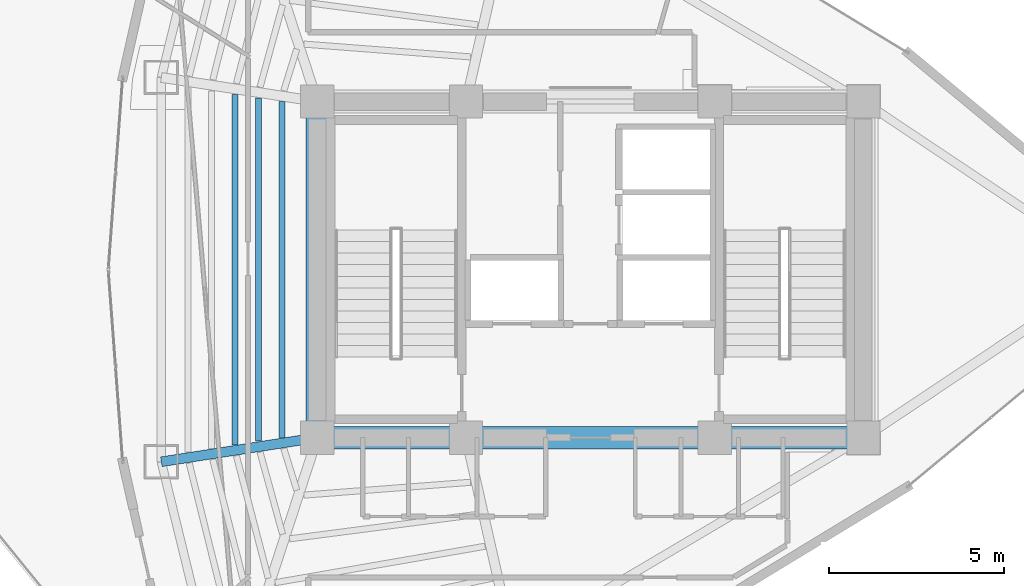
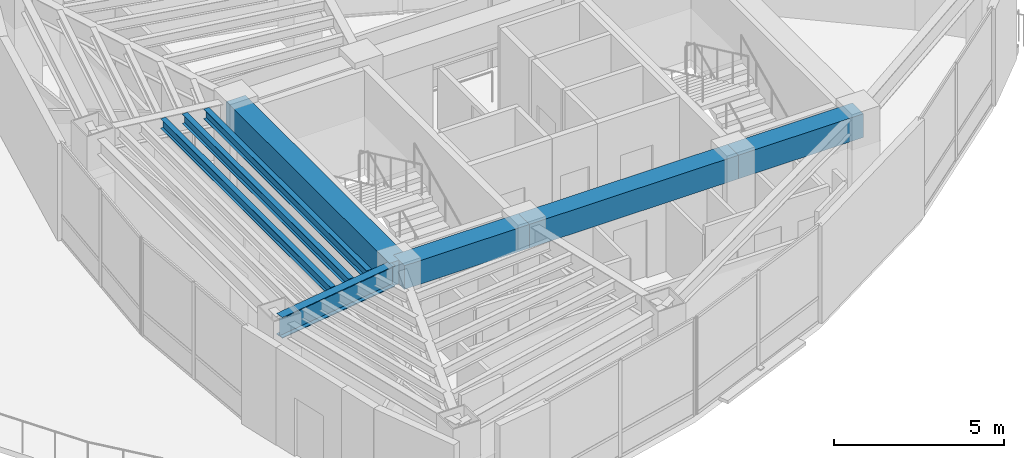
# One storey, part 5 of 17: 8 beams.
"""IFC4 building model written with IfcOpenShell, lengths in metres."""

import ifcopenshell
import ifcopenshell.guid

model = None  # the IFC model being written
_history = None  # IfcOwnerHistory: only IFC2X3 demands one
_inside = {}  # id of a spatial element -> (the spatial element, [elements in it])
_under = {}  # id of a project, library or spatial element -> (it, [spatial elements below it])
_declared = {}  # id of a project -> (the project, [libraries it declares])
_typed = {}  # id of a type object -> (the type object, [elements of that type])
_made_of = {}  # id of a material, layer set ... -> (it, [elements and type objects made of it])


def new_model(schema):
    """Start an empty IFC model of exactly this schema.

    Asked for "IFC4X3", IfcOpenShell would pick the latest addendum, in which some entities
    have other attributes; the version numbers below select the first issue.
    IFC2X3 requires an IfcOwnerHistory on every rooted entity: one is made here for all.
    """
    global model, _history
    if schema == "IFC4X3":
        model = ifcopenshell.file(schema_version=(4, 3, 0, 0))
    else:
        model = ifcopenshell.file(schema=schema)
    _inside.clear()
    _under.clear()
    _declared.clear()
    _typed.clear()
    _made_of.clear()
    _history = None
    if model.schema == "IFC2X3":
        org = make("IfcOrganization", Name="unknown")
        user = make(
            "IfcPersonAndOrganization",
            ThePerson=make("IfcPerson", FamilyName="unknown"),
            TheOrganization=org,
        )
        app = make(
            "IfcApplication",
            ApplicationDeveloper=org,
            Version="unknown",
            ApplicationFullName="unknown",
            ApplicationIdentifier="unknown",
        )
        _history = make(
            "IfcOwnerHistory",
            OwningUser=user,
            OwningApplication=app,
            ChangeAction="ADDED",
            CreationDate=0,
        )
    return model


def make(cls, **values):
    """One entity of the class cls with the attributes given. An attribute that is None is left unset."""
    return model.create_entity(
        cls, **{name: value for name, value in values.items() if value is not None}
    )


def rooted(cls, **values):
    """An entity with a GlobalId (a new one), such as an element, a storey or a relation."""
    return make(cls, GlobalId=ifcopenshell.guid.new(), OwnerHistory=_history, **values)


def si_unit(unit_type, name, prefix=None):
    """IfcSIUnit, for example si_unit("LENGTHUNIT", "METRE", prefix="MILLI")."""
    return make("IfcSIUnit", UnitType=unit_type, Prefix=prefix, Name=name)


def assignment(units):
    """IfcUnitAssignment: the units of a project."""
    return None if units is None else make("IfcUnitAssignment", Units=units)


def point(xyz):
    """IfcCartesianPoint."""
    return None if xyz is None else make("IfcCartesianPoint", Coordinates=xyz)


def direction(xyz):
    """IfcDirection."""
    return None if xyz is None else make("IfcDirection", DirectionRatios=xyz)


def frame(location, z_axis=None, x_axis=None):
    """IfcAxis2Placement3D, a coordinate frame: its origin and axes. An axis left out is left unset."""
    return make(
        "IfcAxis2Placement3D",
        Location=point(location),
        Axis=direction(z_axis),
        RefDirection=direction(x_axis),
    )


def frame_2d(location, x_axis=None):
    """IfcAxis2Placement2D, a coordinate frame in the plane: its origin and x axis."""
    return make(
        "IfcAxis2Placement2D", Location=point(location), RefDirection=direction(x_axis)
    )


def origin():
    """The frame at (0, 0, 0) with its axes left unset."""
    return frame((0.0, 0.0, 0.0))


def origin_2d():
    """The frame at (0, 0) in the plane with its x axis left unset."""
    return frame_2d((0.0, 0.0))


def place(relative_to, where):
    """IfcLocalPlacement: puts the frame where relative to a parent placement (None: the world)."""
    return make(
        "IfcLocalPlacement", PlacementRelTo=relative_to, RelativePlacement=where
    )


def context(
    kind, dimensions, precision=None, world=None, true_north=None, identifier=None
):
    """IfcGeometricRepresentationContext, for example the 3D "Model" context."""
    return make(
        "IfcGeometricRepresentationContext",
        ContextIdentifier=identifier,
        ContextType=kind,
        CoordinateSpaceDimension=dimensions,
        Precision=precision,
        WorldCoordinateSystem=world,
        TrueNorth=true_north,
    )


def subcontext(parent, identifier, kind, view, scale=None):
    """IfcGeometricRepresentationSubContext, for example "Body" below "Model"."""
    return make(
        "IfcGeometricRepresentationSubContext",
        ContextIdentifier=identifier,
        ContextType=kind,
        ParentContext=parent,
        TargetScale=scale,
        TargetView=view,
    )


def project(units=None, contexts=None):
    """IfcProject with its units and contexts."""
    return rooted(
        "IfcProject",
        Name="project",
        RepresentationContexts=contexts,
        UnitsInContext=assignment(units),
    )


def spatial(cls, under=None, at=None, **own):
    """A site, building, storey or space (cls), placed at a placement, below another one or the project."""
    s = rooted(cls, ObjectPlacement=at, **own)
    if under is not None:
        _under.setdefault(under.id(), (under, []))[1].append(s)
    return s


def profile(cls, at=None, kind="AREA", **sizes):
    """A parametric profile (cls). Its sizes go by their IFC names, for example OverallWidth=200.0."""
    return make(cls, ProfileType=kind, Position=at, **sizes)


def rectangle(**sizes):
    """IfcRectangleProfileDef."""
    return profile("IfcRectangleProfileDef", **sizes)


def i_section(**sizes):
    """IfcIShapeProfileDef."""
    return profile("IfcIShapeProfileDef", **sizes)


def extrude(swept, where, along, depth):
    """IfcExtrudedAreaSolid: the profile swept, set in the frame where, extruded along a direction by depth."""
    return make(
        "IfcExtrudedAreaSolid",
        SweptArea=swept,
        Position=where,
        ExtrudedDirection=direction(along),
        Depth=depth,
    )


def shape(context_of_items, identifier, shape_type, items):
    """IfcShapeRepresentation: the items that make up one representation, for example the "Body"."""
    return make(
        "IfcShapeRepresentation",
        ContextOfItems=context_of_items,
        RepresentationIdentifier=identifier,
        RepresentationType=shape_type,
        Items=items,
    )


def material(Name=None, Category=None):
    """IfcMaterial."""
    return make("IfcMaterial", Name=Name, Category=Category)


def material_profile(
    of_material, cross_section, Name=None, Category=None, Priority=None
):
    """IfcMaterialProfile: a cross section and its material."""
    return make(
        "IfcMaterialProfile",
        Name=Name,
        Material=of_material,
        Profile=cross_section,
        Priority=Priority,
        Category=Category,
    )


def profile_set(profiles, Name=None, composite=None):
    """IfcMaterialProfileSet."""
    return make(
        "IfcMaterialProfileSet",
        Name=Name,
        MaterialProfiles=profiles,
        CompositeProfile=composite,
    )


def made_of(thing, what):
    """Note that an element or type object is made of a material, layer set ...; save() writes the relation."""
    if what is not None:
        _made_of.setdefault(what.id(), (what, []))[1].append(thing)
    return thing


def type_object(cls, material=None, **own):
    """A type object (cls), such as IfcWallType, which elements share."""
    return made_of(rooted(cls, **own), material)


def element(
    cls,
    number,
    at=None,
    inside=None,
    cuts=None,
    type_object=None,
    material=None,
    context=None,
    identifier="Body",
    shape_type=None,
    held_by="IfcProductDefinitionShape",
    body=None,
    shapes=None,
    **own,
):
    """One element of the class cls, such as IfcWall. Its Tag is "e" and its number.

    at: its placement. inside: the storey or other place that contains it. cuts: it is an
    opening in that element (IfcRelVoidsElement). A single representation is given by context,
    identifier, shape_type and body (its items); several are given by shapes. held_by: the class
    of the entity that holds the representations. save() writes the other relations.
    """
    e = rooted(cls, Tag="e%d" % number, ObjectPlacement=at, **own)
    if body is not None:
        shapes = [shape(context, identifier, shape_type, body)]
    if shapes is not None:
        e.Representation = make(held_by, Representations=shapes)
    if inside is not None:
        _inside.setdefault(inside.id(), (inside, []))[1].append(e)
    if cuts is not None:
        rooted(
            "IfcRelVoidsElement", RelatingBuildingElement=cuts, RelatedOpeningElement=e
        )
    if type_object is not None:
        _typed.setdefault(type_object.id(), (type_object, []))[1].append(e)
    return made_of(e, material)


def aggregate(whole, parts):
    """IfcRelAggregates: a whole, such as a stair, and the parts it consists of."""
    return rooted("IfcRelAggregates", RelatingObject=whole, RelatedObjects=parts)


def save(model, path):
    """Write the relations noted so far, then the file.

    IfcRelAggregates (storeys below a building ...), IfcRelContainedInSpatialStructure (elements
    in a storey), IfcRelDefinesByType, IfcRelAssociatesMaterial and IfcRelDeclares: one each for
    every whole, place, type object, material and project.
    """
    for whole, parts in _under.values():
        aggregate(whole, parts)
    for where, things in _inside.values():
        rooted(
            "IfcRelContainedInSpatialStructure",
            RelatedElements=things,
            RelatingStructure=where,
        )
    for kind, things in _typed.values():
        rooted("IfcRelDefinesByType", RelatedObjects=things, RelatingType=kind)
    for what, things in _made_of.values():
        rooted("IfcRelAssociatesMaterial", RelatedObjects=things, RelatingMaterial=what)
    for by, libraries in _declared.values():
        rooted("IfcRelDeclares", RelatingContext=by, RelatedDefinitions=libraries)
    model.write(path)


model = new_model("IFC4")

# Units and contexts
model_context = context("Model", 3, precision=1e-05, world=origin(), true_north=direction((0.0, 1.0)))
body_context = subcontext(model_context, "Body", "Model", "MODEL_VIEW")
ifc_project = project(units=[si_unit("LENGTHUNIT", "METRE"), si_unit("AREAUNIT", "SQUARE_METRE"), si_unit("VOLUMEUNIT", "CUBIC_METRE"), si_unit("PLANEANGLEUNIT", "RADIAN"), si_unit("MASSUNIT", "GRAM", prefix="KILO")], contexts=[model_context])

# Site, building, storey
site_placement = place(None, origin())
site = spatial("IfcSite", under=ifc_project, at=site_placement, CompositionType="ELEMENT")
building_placement = place(site_placement, origin())
building = spatial("IfcBuilding", under=site, at=building_placement, Name="Menara Vayukalpa", CompositionType="ELEMENT")
storey_placement = place(building_placement, frame((0.0, 0.0, 206.39990234375)))
storey = spatial("IfcBuildingStorey", under=building, at=storey_placement, Name="L52", CompositionType="ELEMENT", Elevation=206.39990234375)

# Beams
ifc_material_1 = material(Name="Concrete C60/75", Category="concrete")
ifc_material_profile_1 = material_profile(ifc_material_1, rectangle(XDim=0.64990234375, YDim=0.85009765625, at=origin_2d()), Name="RC 650x850")
ifc_profile_set_1 = profile_set([ifc_material_profile_1], Name="Concrete C60/75")
beam_type_1 = type_object("IfcBeamType", Name="BM-CB1", PredefinedType="BEAM", material=ifc_profile_set_1)
beam_1_placement = place(storey_placement, frame((17.800048828125, 17.199951171875, 3.0751953125), z_axis=(1.0, 0.0, 0.0), x_axis=(0.0, 1.0, 0.0)))
element("IfcBeam", 1, at=beam_1_placement, inside=storey, type_object=beam_type_1, Name="L52 Core Tie Beam CBR1", PredefinedType="BEAM", context=body_context, shape_type="SweptSolid", body=[
    extrude(rectangle(XDim=0.64990234375, YDim=0.85009765625, at=origin_2d()), origin(), (0.0, 0.0, 1.0), 4.25),
])
beam_2_placement = place(storey_placement, frame((22.050048828125, 17.199951171875, 3.0751953125), z_axis=(1.0, 0.0, 0.0), x_axis=(0.0, 1.0, 0.0)))
element("IfcBeam", 2, at=beam_2_placement, inside=storey, type_object=beam_type_1, Name="L52 Core Tie Beam CBR2", PredefinedType="BEAM", context=body_context, shape_type="SweptSolid", body=[
    extrude(rectangle(XDim=0.64990234375, YDim=0.85009765625, at=origin_2d()), origin(), (0.0, 0.0, 1.0), 7.099853515625),
])
beam_3_placement = place(storey_placement, frame((29.14990234375, 17.199951171875, 3.0751953125), z_axis=(1.0, 0.0, 0.0), x_axis=(0.0, 1.0, 0.0)))
element("IfcBeam", 3, at=beam_3_placement, inside=storey, type_object=beam_type_1, Name="L52 Core Tie Beam CBR3", PredefinedType="BEAM", context=body_context, shape_type="SweptSolid", body=[
    extrude(rectangle(XDim=0.64990234375, YDim=0.85009765625, at=origin_2d()), origin(), (0.0, 0.0, 1.0), 4.25),
])
beam_4_placement = place(storey_placement, frame((17.800048828125, 17.199951171875, 3.0751953125), z_axis=(0.0, 1.0, 0.0), x_axis=(-1.0, 0.0, 0.0)))
element("IfcBeam", 4, at=beam_4_placement, inside=storey, type_object=beam_type_1, Name="L52 Core Tie Beam CBR7", PredefinedType="BEAM", context=body_context, shape_type="SweptSolid", body=[
    extrude(rectangle(XDim=0.64990234375, YDim=0.85009765625, at=origin_2d()), origin(), (0.0, 0.0, 1.0), 9.60009765625),
])
ifc_material_2 = material(Name="Steel S355", Category="steel")
ifc_material_profile_2 = material_profile(ifc_material_2, i_section(OverallWidth=0.280029296875, OverallDepth=0.75, WebThickness=0.013916015625, FlangeThickness=0.02490234375, at=origin_2d()), Name="WF 750x280x14x25")
ifc_profile_set_2 = profile_set([ifc_material_profile_2], Name="Steel S355")
beam_type_2 = type_object("IfcBeamType", Name="BM-PG4", PredefinedType="BEAM", material=ifc_profile_set_2)
beam_5_placement = place(storey_placement, frame((17.552978515625, 17.161865234375, 3.125), z_axis=(-0.988244781219, -0.152879862617, 0.0), x_axis=(0.152879862617, -0.988244781219, 0.0)))
element("IfcBeam", 5, at=beam_5_placement, inside=storey, type_object=beam_type_2, Name="L52 Primary Radial Girder RG06", PredefinedType="BEAM", context=body_context, shape_type="SweptSolid", body=[
    extrude(i_section(OverallWidth=0.280029296875, OverallDepth=0.75, WebThickness=0.013916015625, FlangeThickness=0.02490234375, at=origin_2d()), origin(), (0.0, 0.0, 1.0), 4.259033203125),
])
ifc_material_3 = material(Name="Steel S355", Category="steel")
ifc_material_profile_3 = material_profile(ifc_material_3, i_section(OverallWidth=0.175048828125, OverallDepth=0.35009765625, WebThickness=0.007080078125, FlangeThickness=0.010986328125, at=origin_2d()), Name="WF 350x175x7x11")
ifc_profile_set_3 = profile_set([ifc_material_profile_3], Name="Steel S355")
beam_type_3 = type_object("IfcBeamType", Name="BM-SJ3", PredefinedType="JOIST", material=ifc_profile_set_3)
beam_6_placement = place(storey_placement, frame((16.79541015625, 26.79541015625, 3.3251953125), z_axis=(0.0, -1.0, 0.0), x_axis=(1.0, 0.0, 0.0)))
element("IfcBeam", 6, at=beam_6_placement, inside=storey, type_object=beam_type_3, Name="L52 Secondary Floor Joist SJ05-1", PredefinedType="JOIST", context=body_context, shape_type="SweptSolid", body=[
    extrude(i_section(OverallWidth=0.175048828125, OverallDepth=0.35009765625, WebThickness=0.007080078125, FlangeThickness=0.010986328125, at=origin_2d()), origin(), (0.0, 0.0, 1.0), 9.5908203125),
])
beam_7_placement = place(storey_placement, frame((16.121826171875, 26.8994140625, 3.3251953125), z_axis=(0.0, -1.0, 0.0), x_axis=(1.0, 0.0, 0.0)))
element("IfcBeam", 7, at=beam_7_placement, inside=storey, type_object=beam_type_3, Name="L52 Secondary Floor Joist SJ05-2", PredefinedType="JOIST", context=body_context, shape_type="SweptSolid", body=[
    extrude(i_section(OverallWidth=0.175048828125, OverallDepth=0.35009765625, WebThickness=0.007080078125, FlangeThickness=0.010986328125, at=origin_2d()), origin(), (0.0, 0.0, 1.0), 9.798828125),
])
beam_8_placement = place(storey_placement, frame((15.448486328125, 27.003662109375, 3.3251953125), z_axis=(0.0, -1.0, 0.0), x_axis=(1.0, 0.0, 0.0)))
element("IfcBeam", 8, at=beam_8_placement, inside=storey, type_object=beam_type_3, Name="L52 Secondary Floor Joist SJ05-3", PredefinedType="JOIST", context=body_context, shape_type="SweptSolid", body=[
    extrude(i_section(OverallWidth=0.175048828125, OverallDepth=0.35009765625, WebThickness=0.007080078125, FlangeThickness=0.010986328125, at=origin_2d()), origin(), (0.0, 0.0, 1.0), 10.00732421875),
])

save(model, "model.ifc")
